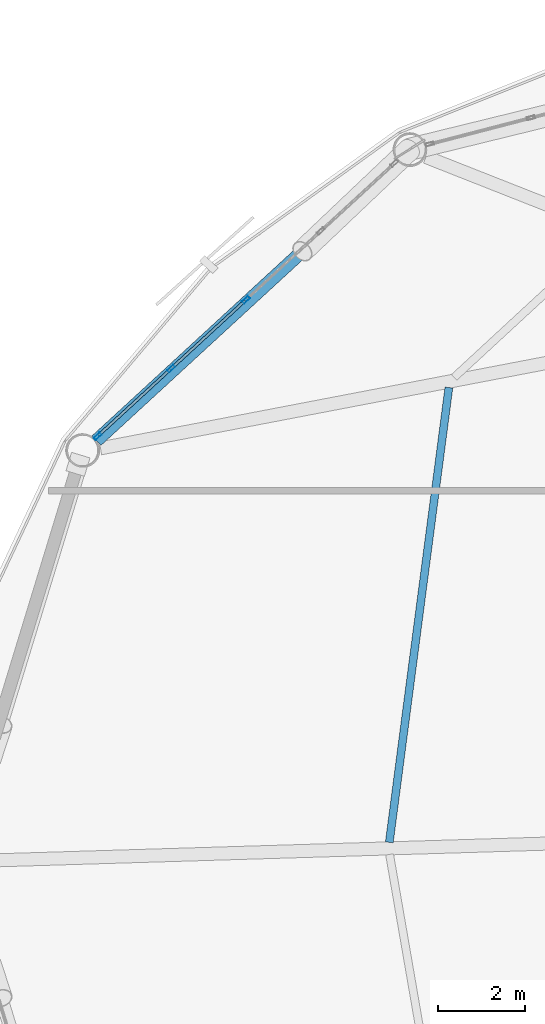
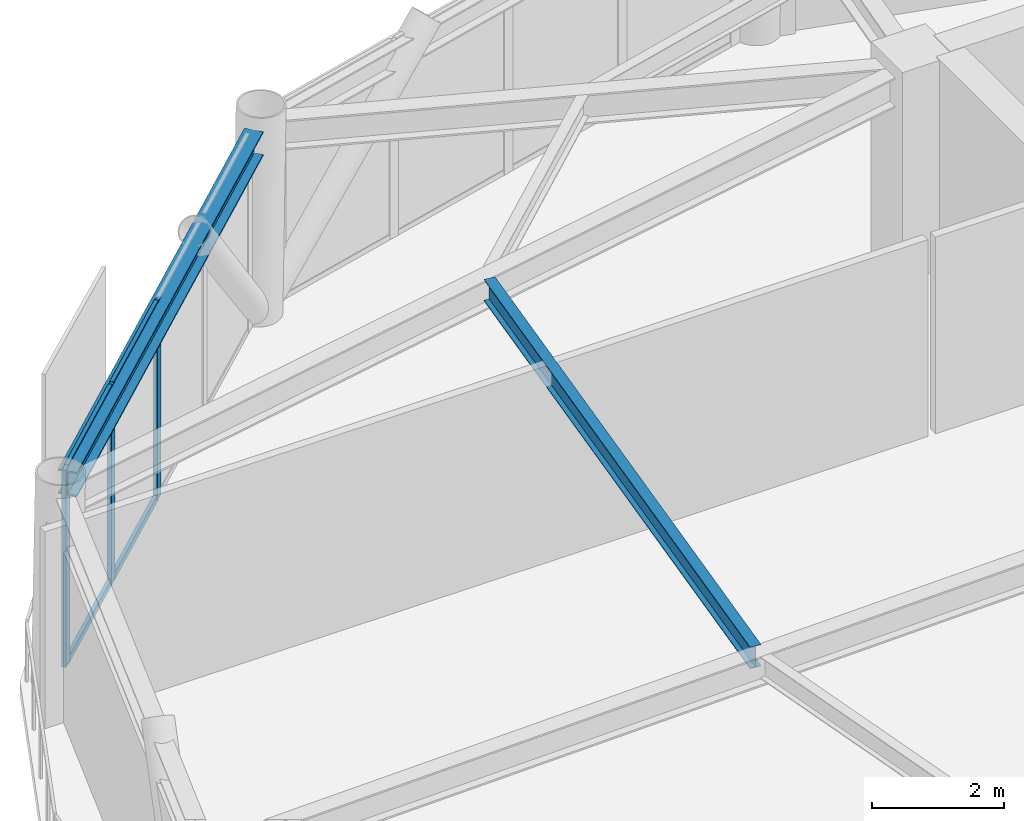
# One storey, part 12 of 25: 7 members, 2 beams, 1 element without a shape of its own.
"""IFC4 building model written with IfcOpenShell, lengths in metres."""

from ifc_helpers import new_model, si_unit, direction, frame, origin, origin_2d, place, context, subcontext, project, spatial, hollow_rectangle, i_section, extrude, material, layer, layer_set, material_profile, profile_set, type_object, element, aggregate, save


model = new_model("IFC4")

# Units and contexts
model_context = context("Model", 3, precision=1e-05, world=origin(), true_north=direction((0.0, 1.0)))
body_context = subcontext(model_context, "Body", "Model", "MODEL_VIEW")
ifc_project = project(units=[si_unit("LENGTHUNIT", "METRE"), si_unit("AREAUNIT", "SQUARE_METRE"), si_unit("VOLUMEUNIT", "CUBIC_METRE"), si_unit("PLANEANGLEUNIT", "RADIAN"), si_unit("MASSUNIT", "GRAM", prefix="KILO")], contexts=[model_context])

# Site, building, storey
site_placement = place(None, origin())
site = spatial("IfcSite", under=ifc_project, at=site_placement, CompositionType="ELEMENT")
building_placement = place(site_placement, origin())
building = spatial("IfcBuilding", under=site, at=building_placement, Name="Varnakorn Sky Granary", CompositionType="ELEMENT")
storey_placement = place(building_placement, frame((0.0, 0.0, 157.800048828125)))
storey = spatial("IfcBuildingStorey", under=building, at=storey_placement, Name="L39", CompositionType="ELEMENT", Elevation=157.800048828125)

# Beams
ifc_material_1 = material(Name="Steel S355JR", Category="steel")
ifc_material_profile_1 = material_profile(ifc_material_1, i_section(OverallWidth=0.179931640625, OverallDepth=0.39990234375, WebThickness=0.008544921875, FlangeThickness=0.013427734375, at=origin_2d()), Name="IPE 400")
ifc_profile_set_1 = profile_set([ifc_material_profile_1], Name="Steel S355JR")
beam_type_1 = type_object("IfcBeamType", Name="BM-SEC-Z3", PredefinedType="BEAM", material=ifc_profile_set_1)
beam_1_placement = place(storey_placement, frame((-10.85888671875, 10.86865234375, 3.43994140625), z_axis=(-0.1298937773, -0.991527915199, 0.0), x_axis=(0.991527915199, -0.1298937773, 0.0)))
element("IfcBeam", 1, at=beam_1_placement, inside=storey, type_object=beam_type_1, Name="Secondary Floor Chord Beam MSB06 L39", PredefinedType="BEAM", context=body_context, shape_type="SweptSolid", body=[
    extrude(i_section(OverallWidth=0.179931640625, OverallDepth=0.39990234375, WebThickness=0.008544921875, FlangeThickness=0.013427734375, at=origin_2d()), origin(), (0.0, 0.0, 1.0), 10.519775390625),
])
ifc_material_profile_2 = material_profile(ifc_material_1, i_section(OverallWidth=0.300048828125, OverallDepth=0.449951171875, WebThickness=0.013916015625, FlangeThickness=0.02587890625, at=origin_2d()), Name="HE 450 B")
ifc_profile_set_2 = profile_set([ifc_material_profile_2], Name="Steel S355JR")
beam_type_2 = type_object("IfcBeamType", Name="BM-SPD-Z3", PredefinedType="SPANDREL", material=ifc_profile_set_2)
beam_2_placement = place(storey_placement, frame((-11.993408203125, 16.0419921875, 3.4150390625), z_axis=(-0.73598256896, -0.677000486105, 0.0), x_axis=(0.677000486105, -0.73598256896, 0.0)))
element("IfcBeam", 2, at=beam_2_placement, inside=storey, type_object=beam_type_2, Name="Perimeter Spandrel Ring Beam RB05 L39", PredefinedType="SPANDREL", context=body_context, shape_type="SweptSolid", body=[
    extrude(i_section(OverallWidth=0.300048828125, OverallDepth=0.449951171875, WebThickness=0.013916015625, FlangeThickness=0.02587890625, at=origin_2d()), origin(), (0.0, 0.0, 1.0), 9.4375),
])

# Curtain wall, members
ifc_material_2 = material(Name="Anodised Bronze Aluminium Alloy 6063-T6", Category="aluminium")
ifc_layer = layer(ifc_material_2, 0.179931640625, Name="Anodised Bronze Aluminium Alloy 6063-T6")
ifc_layer_set = layer_set([ifc_layer], Name="Anodised Bronze Aluminium Alloy 6063-T6")
curtain_wall_type = type_object("IfcCurtainWallType", Name="CW-FRM-2", PredefinedType="USERDEFINED", material=ifc_layer_set)
curtain_wall_placement = place(storey_placement, origin())
curtain_wall = element("IfcCurtainWall", 3, at=curtain_wall_placement, inside=storey, type_object=curtain_wall_type, Name="Unitised Curtain Wall CW4 CW-L39-B05", ObjectType="CURTAIN WALL", PredefinedType="USERDEFINED")
ifc_material_profile_3 = material_profile(ifc_material_2, hollow_rectangle(XDim=0.070068359375, YDim=0.18505859375, WallThickness=0.00390625, at=origin_2d()), Name="ALU MULL 70x185")
ifc_profile_set_3 = profile_set([ifc_material_profile_3], Name="Anodised Bronze Aluminium Alloy 6063-T6")
member_type_1 = type_object("IfcMemberType", Name="CW-FRM-2-MULL", PredefinedType="MULLION", material=ifc_profile_set_3)
member_1_placement = place(storey_placement, frame((-18.916015625, 9.7509765625, 0.0), z_axis=(0.0, 0.0, 1.0), x_axis=(-0.676758169844, 0.73620539223, 0.0)))
member_1 = element("IfcMember", 4, at=member_1_placement, type_object=member_type_1, Name="CW4 mullion 1", PredefinedType="MULLION", context=body_context, shape_type="SweptSolid", body=[
    extrude(hollow_rectangle(XDim=0.070068359375, YDim=0.18505859375, WallThickness=0.00390625, at=origin_2d()), origin(), (0.0, 0.0, 1.0), 3.639892578125),
])
member_2_placement = place(storey_placement, frame((-17.226806640625, 11.3037109375, 0.0), z_axis=(0.0, 0.0, 1.0), x_axis=(-0.676758169844, 0.73620539223, 0.0)))
member_2 = element("IfcMember", 5, at=member_2_placement, type_object=member_type_1, Name="CW4 mullion 2", PredefinedType="MULLION", context=body_context, shape_type="SweptSolid", body=[
    extrude(hollow_rectangle(XDim=0.070068359375, YDim=0.18505859375, WallThickness=0.00390625, at=origin_2d()), origin(), (0.0, 0.0, 1.0), 3.639892578125),
])
member_3_placement = place(storey_placement, frame((-15.511962890625, 12.88037109375, 0.0), z_axis=(0.0, 0.0, 1.0), x_axis=(-0.676758169844, 0.73620539223, 0.0)))
member_3 = element("IfcMember", 6, at=member_3_placement, type_object=member_type_1, Name="CW4 mullion 3", PredefinedType="MULLION", context=body_context, shape_type="SweptSolid", body=[
    extrude(hollow_rectangle(XDim=0.070068359375, YDim=0.18505859375, WallThickness=0.00390625, at=origin_2d()), origin(), (0.0, 0.0, 1.0), 3.639892578125),
])
ifc_material_profile_4 = material_profile(ifc_material_2, hollow_rectangle(XDim=0.06494140625, YDim=0.1201171875, WallThickness=0.00341796875, at=origin_2d()), Name="ALU TRAN 65x120")
ifc_profile_set_4 = profile_set([ifc_material_profile_4], Name="Anodised Bronze Aluminium Alloy 6063-T6")
member_type_2 = type_object("IfcMemberType", Name="CW-FRM-2-TRAN", PredefinedType="USERDEFINED", material=ifc_profile_set_4)
member_4_placement = place(storey_placement, frame((-18.890380859375, 9.774658203125, 0.032470703125), z_axis=(0.736224061665, 0.676737859903, 0.0), x_axis=(-0.676737859903, 0.736224061665, 0.0)))
member_4 = element("IfcMember", 7, at=member_4_placement, type_object=member_type_2, Name="CW4 transom 1.1", ObjectType="TRANSOM", PredefinedType="USERDEFINED", context=body_context, shape_type="SweptSolid", body=[
    extrude(hollow_rectangle(XDim=0.06494140625, YDim=0.1201171875, WallThickness=0.00341796875, at=origin_2d()), origin(), (0.0, 0.0, 1.0), 2.224365234375),
])
member_5_placement = place(storey_placement, frame((-18.890380859375, 9.774658203125, 3.607421875), z_axis=(0.736224061665, 0.676737859903, 0.0), x_axis=(-0.676737859903, 0.736224061665, 0.0)))
member_5 = element("IfcMember", 8, at=member_5_placement, type_object=member_type_2, Name="CW4 transom 1.2", ObjectType="TRANSOM", PredefinedType="USERDEFINED", context=body_context, shape_type="SweptSolid", body=[
    extrude(hollow_rectangle(XDim=0.06494140625, YDim=0.1201171875, WallThickness=0.00341796875, at=origin_2d()), origin(), (0.0, 0.0, 1.0), 2.224365234375),
])
member_6_placement = place(storey_placement, frame((-17.201171875, 11.327392578125, 0.032470703125), z_axis=(0.736198009052, 0.676766201481, 0.0), x_axis=(-0.676766201481, 0.736198009052, 0.0)))
member_6 = element("IfcMember", 9, at=member_6_placement, type_object=member_type_2, Name="CW4 transom 2.1", ObjectType="TRANSOM", PredefinedType="USERDEFINED", context=body_context, shape_type="SweptSolid", body=[
    extrude(hollow_rectangle(XDim=0.06494140625, YDim=0.1201171875, WallThickness=0.00341796875, at=origin_2d()), origin(), (0.0, 0.0, 1.0), 2.25927734375),
])
member_7_placement = place(storey_placement, frame((-17.201171875, 11.327392578125, 3.607421875), z_axis=(0.736198009052, 0.676766201481, 0.0), x_axis=(-0.676766201481, 0.736198009052, 0.0)))
member_7 = element("IfcMember", 10, at=member_7_placement, type_object=member_type_2, Name="CW4 transom 2.2", ObjectType="TRANSOM", PredefinedType="USERDEFINED", context=body_context, shape_type="SweptSolid", body=[
    extrude(hollow_rectangle(XDim=0.06494140625, YDim=0.1201171875, WallThickness=0.00341796875, at=origin_2d()), origin(), (0.0, 0.0, 1.0), 2.25927734375),
])
aggregate(curtain_wall, [member_1, member_2, member_3, member_4, member_5, member_6, member_7])

save(model, "model.ifc")
